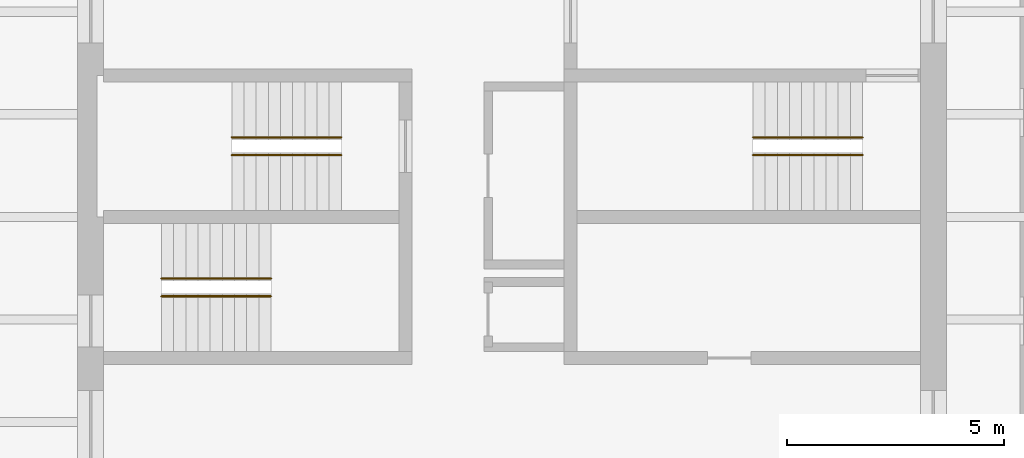
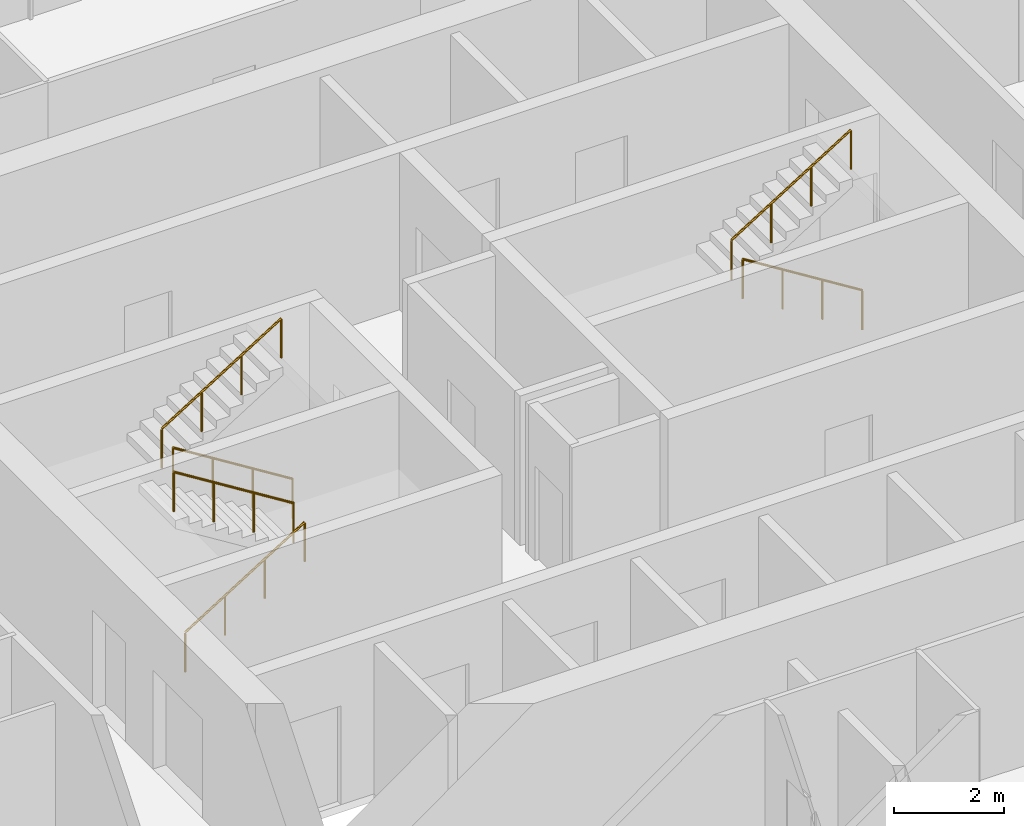
# One storey, part 17 of 17: 6 railings.
"""IFC4 building model written with IfcOpenShell, lengths in metres."""

from ifc_helpers import new_model, si_unit, direction, frame, origin, origin_2d, place, context, subcontext, project, spatial, circle, extrude, material, type_object, element, save


model = new_model("IFC4")

# Units and contexts
model_context = context("Model", 3, precision=1e-05, world=origin(), true_north=direction((0.0, 1.0)))
body_context = subcontext(model_context, "Body", "Model", "MODEL_VIEW")
ifc_project = project(units=[si_unit("LENGTHUNIT", "METRE"), si_unit("AREAUNIT", "SQUARE_METRE"), si_unit("VOLUMEUNIT", "CUBIC_METRE"), si_unit("PLANEANGLEUNIT", "RADIAN"), si_unit("MASSUNIT", "GRAM", prefix="KILO")], contexts=[model_context])

# Site, building, storey
site_placement = place(None, origin())
site = spatial("IfcSite", under=ifc_project, at=site_placement, CompositionType="ELEMENT")
building_placement = place(site_placement, origin())
building = spatial("IfcBuilding", under=site, at=building_placement, Name="Turquesa Mirador Hotel Tower", CompositionType="ELEMENT")
storey_placement = place(building_placement, frame((0.0, 0.0, 240.699951171875)))
storey = spatial("IfcBuildingStorey", under=building, at=storey_placement, Name="L65", CompositionType="ELEMENT", Elevation=240.699951171875)

# Railings
ifc_material = material(Name="Painted steel handrail", Category="steel")
railing_type = type_object("IfcRailingType", Name="HANDRAIL 900 STEEL", PredefinedType="HANDRAIL", material=ifc_material)
railing_1_placement = place(storey_placement, frame((51.070068359375, 46.419921875, 0.175048828125)))
element("IfcRailing", 1, at=railing_1_placement, inside=storey, type_object=railing_type, Name="Handrail ST1", PredefinedType="HANDRAIL", context=body_context, shape_type="SweptSolid", body=[
    extrude(circle(Radius=0.02392578125, at=origin_2d()), frame((0.0, 0.0, 0.8759765625), z_axis=(-0.848007534815, 0.0, 0.529984170421), x_axis=(0.0, -1.0, 0.0)), (0.0, 0.0, 1.0), 2.9716796875),
    extrude(circle(Radius=0.02099609375, at=origin_2d()), origin(), (0.0, 0.0, 1.0), 0.851806640625),
    extrude(circle(Radius=0.02099609375, at=origin_2d()), frame((-0.840087890625, 0.0, 0.52490234375)), (0.0, 0.0, 1.0), 0.851806640625),
    extrude(circle(Radius=0.02099609375, at=origin_2d()), frame((-1.679931640625, 0.0, 1.050048828125)), (0.0, 0.0, 1.0), 0.851806640625),
    extrude(circle(Radius=0.02099609375, at=origin_2d()), frame((-2.52001953125, 0.0, 1.574951171875)), (0.0, 0.0, 1.0), 0.851806640625),
])
for number, where, name in (
    (2, (48.550048828125, 46.830078125, 1.925048828125), "Handrail ST1"),
    (3, (46.929931640625, 43.169921875, 0.175048828125), "Handrail ST2"),
):
    element("IfcRailing", number, at=place(storey_placement, frame(where)), inside=storey, type_object=railing_type, Name=name, PredefinedType="HANDRAIL", context=body_context, shape_type="SweptSolid", body=[
        extrude(circle(Radius=0.02392578125, at=origin_2d()), frame((0.0, 0.0, 0.8759765625), z_axis=(0.848007534815, 0.0, 0.529984170421), x_axis=(0.0, 1.0, 0.0)), (0.0, 0.0, 1.0), 2.9716796875),
        extrude(circle(Radius=0.02099609375, at=origin_2d()), origin(), (0.0, 0.0, 1.0), 0.851806640625),
        extrude(circle(Radius=0.02099609375, at=origin_2d()), frame((0.840087890625, 0.0, 0.52490234375)), (0.0, 0.0, 1.0), 0.851806640625),
        extrude(circle(Radius=0.02099609375, at=origin_2d()), frame((1.679931640625, 0.0, 1.050048828125)), (0.0, 0.0, 1.0), 0.851806640625),
        extrude(circle(Radius=0.02099609375, at=origin_2d()), frame((2.52001953125, 0.0, 1.574951171875)), (0.0, 0.0, 1.0), 0.851806640625),
    ])
for number, where, name in (
    (4, (49.449951171875, 43.580078125, 1.925048828125), "Handrail ST2"),
    (5, (63.070068359375, 46.419921875, 0.175048828125), "Handrail ST3"),
):
    element("IfcRailing", number, at=place(storey_placement, frame(where)), inside=storey, type_object=railing_type, Name=name, PredefinedType="HANDRAIL", context=body_context, shape_type="SweptSolid", body=[
        extrude(circle(Radius=0.02392578125, at=origin_2d()), frame((0.0, 0.0, 0.8759765625), z_axis=(-0.848007534815, 0.0, 0.529984170421), x_axis=(0.0, -1.0, 0.0)), (0.0, 0.0, 1.0), 2.9716796875),
        extrude(circle(Radius=0.02099609375, at=origin_2d()), origin(), (0.0, 0.0, 1.0), 0.851806640625),
        extrude(circle(Radius=0.02099609375, at=origin_2d()), frame((-0.840087890625, 0.0, 0.52490234375)), (0.0, 0.0, 1.0), 0.851806640625),
        extrude(circle(Radius=0.02099609375, at=origin_2d()), frame((-1.679931640625, 0.0, 1.050048828125)), (0.0, 0.0, 1.0), 0.851806640625),
        extrude(circle(Radius=0.02099609375, at=origin_2d()), frame((-2.52001953125, 0.0, 1.574951171875)), (0.0, 0.0, 1.0), 0.851806640625),
    ])
railing_2_placement = place(storey_placement, frame((60.550048828125, 46.830078125, 1.925048828125)))
element("IfcRailing", 6, at=railing_2_placement, inside=storey, type_object=railing_type, Name="Handrail ST3", PredefinedType="HANDRAIL", context=body_context, shape_type="SweptSolid", body=[
    extrude(circle(Radius=0.02392578125, at=origin_2d()), frame((0.0, 0.0, 0.8759765625), z_axis=(0.848007534815, 0.0, 0.529984170421), x_axis=(0.0, 1.0, 0.0)), (0.0, 0.0, 1.0), 2.9716796875),
    extrude(circle(Radius=0.02099609375, at=origin_2d()), origin(), (0.0, 0.0, 1.0), 0.851806640625),
    extrude(circle(Radius=0.02099609375, at=origin_2d()), frame((0.840087890625, 0.0, 0.52490234375)), (0.0, 0.0, 1.0), 0.851806640625),
    extrude(circle(Radius=0.02099609375, at=origin_2d()), frame((1.679931640625, 0.0, 1.050048828125)), (0.0, 0.0, 1.0), 0.851806640625),
    extrude(circle(Radius=0.02099609375, at=origin_2d()), frame((2.52001953125, 0.0, 1.574951171875)), (0.0, 0.0, 1.0), 0.851806640625),
])

save(model, "model.ifc")
